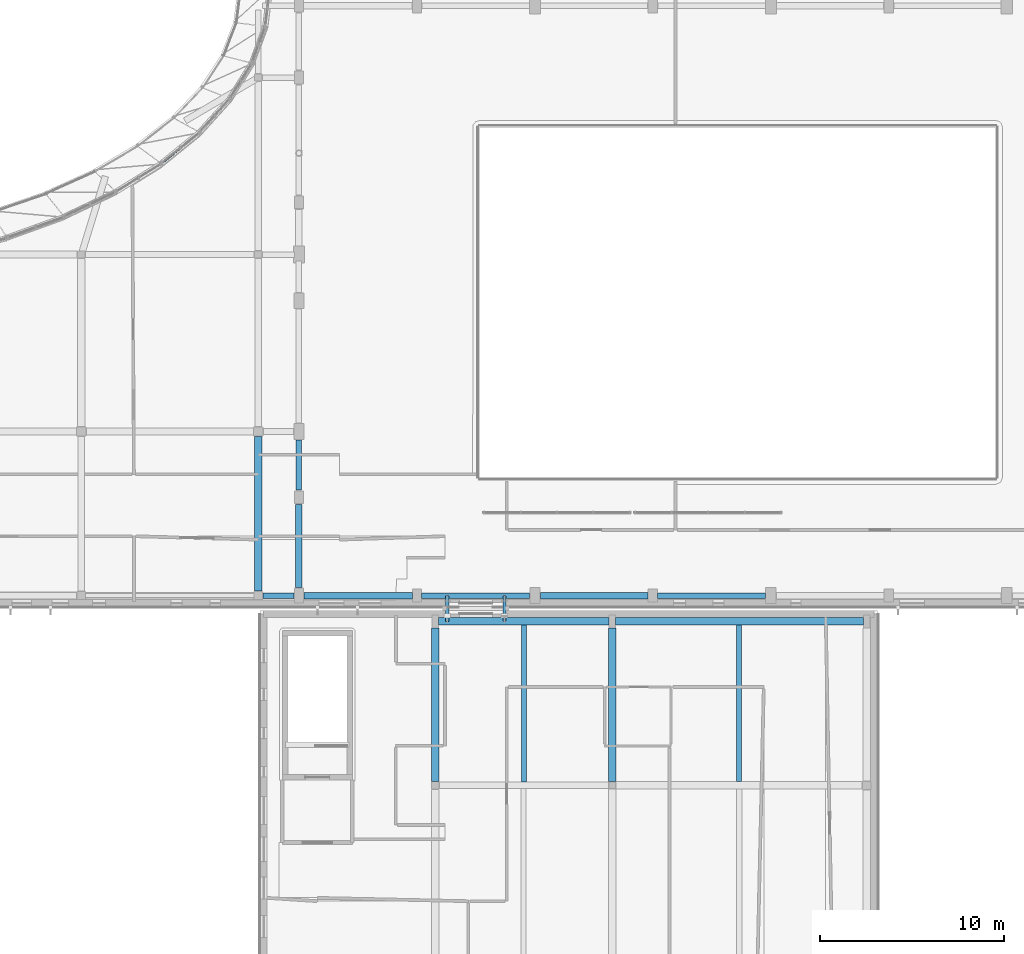
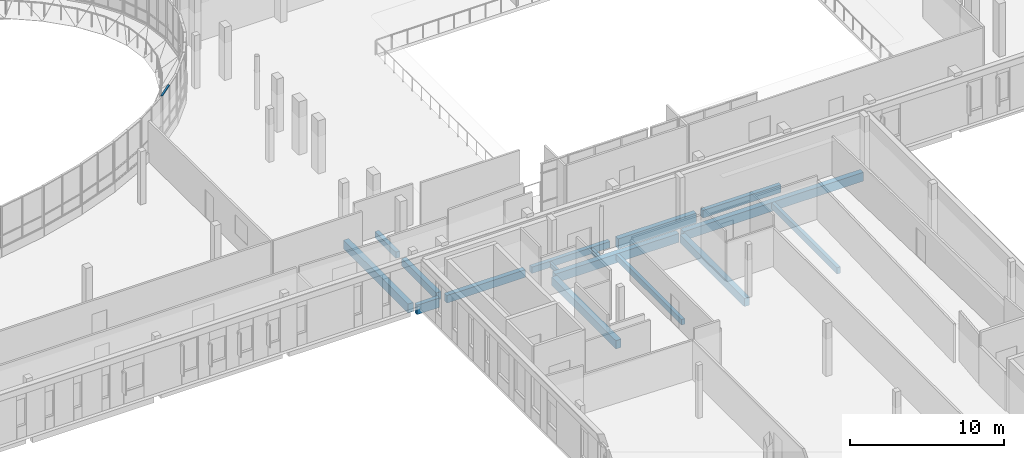
# One storey, part 16 of 84: 16 beams, 1 member, 1 element without a shape of its own.
"""IFC4 building model written with IfcOpenShell, lengths in metres."""

from ifc_helpers import new_model, si_unit, direction, frame, origin, origin_2d, place, context, subcontext, project, spatial, rectangle, i_section, extrude, material, material_profile, profile_set, type_object, element, aggregate, save


model = new_model("IFC4")

# Units and contexts
model_context = context("Model", 3, precision=1e-05, world=origin(), true_north=direction((0.0, 1.0)))
body_context = subcontext(model_context, "Body", "Model", "MODEL_VIEW")
ifc_project = project(units=[si_unit("LENGTHUNIT", "METRE"), si_unit("AREAUNIT", "SQUARE_METRE"), si_unit("VOLUMEUNIT", "CUBIC_METRE"), si_unit("PLANEANGLEUNIT", "RADIAN"), si_unit("MASSUNIT", "GRAM", prefix="KILO")], contexts=[model_context])

# Site, building, storey
site_placement = place(None, origin())
site = spatial("IfcSite", under=ifc_project, at=site_placement, CompositionType="ELEMENT")
building_placement = place(site_placement, origin())
building = spatial("IfcBuilding", under=site, at=building_placement, Name="Mzevani Central Library", CompositionType="ELEMENT")
storey_placement = place(building_placement, frame((0.0, 0.0, 5.39990234375)))
storey = spatial("IfcBuildingStorey", under=building, at=storey_placement, Name="L01", CompositionType="ELEMENT", Elevation=5.39990234375)

# Beams
ifc_material_1 = material(Name="Concrete C35/45", Category="concrete")
ifc_material_profile_1 = material_profile(ifc_material_1, rectangle(XDim=0.300048828125, YDim=0.5, at=origin_2d()), Name="RC B300x500")
ifc_profile_set_1 = profile_set([ifc_material_profile_1], Name="Concrete C35/45")
beam_type_1 = type_object("IfcBeamType", Name="Beam RC 300x500", PredefinedType="BEAM", material=ifc_profile_set_1)
beam_1_placement = place(storey_placement, frame((120.85009765625, 43.10009765625, -0.510009765625), z_axis=(1.0, 0.0, 0.0), x_axis=(0.0, 1.0, 0.0)))
element("IfcBeam", 1, at=beam_1_placement, inside=storey, type_object=beam_type_1, Name="L01 V1 Girder B-01 (8)", PredefinedType="BEAM", context=body_context, shape_type="SweptSolid", body=[
    extrude(rectangle(XDim=0.300048828125, YDim=0.5, at=origin_2d()), origin(), (0.0, 0.0, 1.0), 5.849853515625),
])
beam_2_placement = place(storey_placement, frame((114.199951171875, 48.8330078125, -0.510009765625), z_axis=(0.0, 1.0, 0.0), x_axis=(-1.0, 0.0, 0.0)))
element("IfcBeam", 2, at=beam_2_placement, inside=storey, type_object=beam_type_1, Name="L01 V1 Frame Beam B-01 (60)", PredefinedType="BEAM", context=body_context, shape_type="SweptSolid", body=[
    extrude(rectangle(XDim=0.300048828125, YDim=0.5, at=origin_2d()), origin(), (0.0, 0.0, 1.0), 2.717041015625),
])
ifc_material_profile_2 = material_profile(ifc_material_1, rectangle(XDim=0.300048828125, YDim=0.60009765625, at=origin_2d()), Name="RC B300x600")
ifc_profile_set_2 = profile_set([ifc_material_profile_2], Name="Concrete C35/45")
beam_type_2 = type_object("IfcBeamType", Name="Beam RC 300x600", PredefinedType="BEAM", material=ifc_profile_set_2)
beam_3_placement = place(storey_placement, frame((133.64990234375, 43.10009765625, -0.559814453125), z_axis=(1.0, 0.0, 0.0), x_axis=(0.0, 1.0, 0.0)))
element("IfcBeam", 3, at=beam_3_placement, inside=storey, type_object=beam_type_2, Name="L01 V1 Girder B-03 (10)", PredefinedType="BEAM", context=body_context, shape_type="SweptSolid", body=[
    extrude(rectangle(XDim=0.300048828125, YDim=0.60009765625, at=origin_2d()), origin(), (0.0, 0.0, 1.0), 5.85009765625),
])
ifc_material_profile_3 = material_profile(ifc_material_1, rectangle(XDim=0.35009765625, YDim=0.60009765625, at=origin_2d()), Name="RC B350x600")
ifc_profile_set_3 = profile_set([ifc_material_profile_3], Name="Concrete C35/45")
beam_type_3 = type_object("IfcBeamType", Name="Beam RC 350x600", PredefinedType="BEAM", material=ifc_profile_set_3)
beam_4_placement = place(storey_placement, frame((114.47509765625, 43.10009765625, -0.559814453125), z_axis=(1.0, 0.0, 0.0), x_axis=(0.0, 1.0, 0.0)))
element("IfcBeam", 4, at=beam_4_placement, inside=storey, type_object=beam_type_3, Name="L01 V1 Girder B-04 (7)", PredefinedType="BEAM", context=body_context, shape_type="SweptSolid", body=[
    extrude(rectangle(XDim=0.35009765625, YDim=0.60009765625, at=origin_2d()), origin(), (0.0, 0.0, 1.0), 5.875),
])
beam_5_placement = place(storey_placement, frame((114.199951171875, 43.52490234375, -0.559814453125), z_axis=(0.0, 1.0, 0.0), x_axis=(-1.0, 0.0, 0.0)))
element("IfcBeam", 5, at=beam_5_placement, inside=storey, type_object=beam_type_3, Name="L01 V1 Frame Beam B-04 (59)", PredefinedType="BEAM", context=body_context, shape_type="SweptSolid", body=[
    extrude(rectangle(XDim=0.35009765625, YDim=0.60009765625, at=origin_2d()), origin(), (0.0, 0.0, 1.0), 4.508056640625),
])
ifc_material_profile_4 = material_profile(ifc_material_1, rectangle(XDim=0.39990234375, YDim=0.64990234375, at=origin_2d()), Name="RC B400x650")
ifc_profile_set_4 = profile_set([ifc_material_profile_4], Name="Concrete C35/45")
beam_type_4 = type_object("IfcBeamType", Name="Beam RC 400x650", PredefinedType="BEAM", material=ifc_profile_set_4)
beam_6_placement = place(storey_placement, frame((121.60009765625, 33.02490234375, -0.5849609375), z_axis=(0.0, 1.0, 0.0), x_axis=(-1.0, 0.0, 0.0)))
element("IfcBeam", 6, at=beam_6_placement, inside=storey, type_object=beam_type_4, Name="L01 V6 Frame Beam B-07 (1058)", PredefinedType="BEAM", context=body_context, shape_type="SweptSolid", body=[
    extrude(rectangle(XDim=0.39990234375, YDim=0.64990234375, at=origin_2d()), origin(), (0.0, 0.0, 1.0), 8.3251953125),
])
beam_7_placement = place(storey_placement, frame((131.199951171875, 33.0, -0.5849609375), z_axis=(0.0, 1.0, 0.0), x_axis=(-1.0, 0.0, 0.0)))
element("IfcBeam", 7, at=beam_7_placement, inside=storey, type_object=beam_type_4, Name="L01 V6 Frame Beam B-07 (1062)", PredefinedType="BEAM", context=body_context, shape_type="SweptSolid", body=[
    extrude(rectangle(XDim=0.39990234375, YDim=0.64990234375, at=origin_2d()), origin(), (0.0, 0.0, 1.0), 8.35009765625),
])
ifc_material_profile_5 = material_profile(ifc_material_1, rectangle(XDim=0.39990234375, YDim=0.699951171875, at=origin_2d()), Name="RC B400x700")
ifc_profile_set_5 = profile_set([ifc_material_profile_5], Name="Concrete C35/45")
beam_type_5 = type_object("IfcBeamType", Name="Beam RC 400x700", PredefinedType="BEAM", material=ifc_profile_set_5)
beam_8_placement = place(storey_placement, frame((112.0, 43.35009765625, -0.60986328125), z_axis=(0.0, 1.0, 0.0), x_axis=(-1.0, 0.0, 0.0)))
element("IfcBeam", 8, at=beam_8_placement, inside=storey, type_object=beam_type_5, Name="L01 V1 Frame Beam B-08 (55)", PredefinedType="BEAM", context=body_context, shape_type="SweptSolid", body=[
    extrude(rectangle(XDim=0.39990234375, YDim=0.699951171875, at=origin_2d()), origin(), (0.0, 0.0, 1.0), 8.375),
])
beam_9_placement = place(storey_placement, frame((121.77490234375, 41.699951171875, -0.60986328125), z_axis=(1.0, 0.0, 0.0), x_axis=(0.0, 1.0, 0.0)))
element("IfcBeam", 9, at=beam_9_placement, inside=storey, type_object=beam_type_5, Name="L01 V6 Girder B-08 (1051)", PredefinedType="BEAM", context=body_context, shape_type="SweptSolid", body=[
    extrude(rectangle(XDim=0.39990234375, YDim=0.699951171875, at=origin_2d()), origin(), (0.0, 0.0, 1.0), 9.25),
])
beam_10_placement = place(storey_placement, frame((131.375, 41.699951171875, -0.60986328125), z_axis=(1.0, 0.0, 0.0), x_axis=(0.0, 1.0, 0.0)))
element("IfcBeam", 10, at=beam_10_placement, inside=storey, type_object=beam_type_5, Name="L01 V6 Girder B-08 (1052)", PredefinedType="BEAM", context=body_context, shape_type="SweptSolid", body=[
    extrude(rectangle(XDim=0.39990234375, YDim=0.699951171875, at=origin_2d()), origin(), (0.0, 0.0, 1.0), 13.449951171875),
])
ifc_material_2 = material(Name="Steel S355J2", Category="steel")
ifc_material_profile_6 = material_profile(ifc_material_2, i_section(OverallWidth=0.179931640625, OverallDepth=0.39990234375, WebThickness=0.008544921875, FlangeThickness=0.013427734375, FilletRadius=0.02099609375, at=origin_2d()), Name="IPE 400")
ifc_profile_set_6 = profile_set([ifc_material_profile_6], Name="Steel S355J2")
beam_type_6 = type_object("IfcBeamType", Name="Bridge Edge Beam IPE 400", PredefinedType="BEAM", material=ifc_profile_set_6)
for number, where, z_axis, x_axis, name in (
    (11, (122.25, 41.699951171875, -0.52490234375), (0.0, 1.0, 0.0), (-1.0, 0.0, 0.0), "L01 Children-Reading Hall Seismic Passage L01 Girder 1"),
    (12, (125.35009765625, 41.699951171875, -0.52490234375), (0.0, 1.0, 0.0), (-1.0, 0.0, 0.0), "L01 Children-Reading Hall Seismic Passage L01 Girder 2"),
):
    element("IfcBeam", number, at=place(storey_placement, frame(where, z_axis=z_axis, x_axis=x_axis)), inside=storey, type_object=beam_type_6, Name=name, PredefinedType="BEAM", context=body_context, shape_type="SweptSolid", body=[
        extrude(i_section(OverallWidth=0.179931640625, OverallDepth=0.39990234375, WebThickness=0.008544921875, FlangeThickness=0.013427734375, FilletRadius=0.02099609375, at=origin_2d()), origin(), (0.0, 0.0, 1.0), 1.400146484375),
    ])

# Curtain wall, member
ifc_material_3 = material(Name="Thermally broken aluminium and Low-E triple glazing", Category="aluminium")
curtain_wall_type = type_object("IfcCurtainWallType", Name="Elliptical Court Unitised Curtain Wall", PredefinedType="NOTDEFINED", material=ifc_material_3)
curtain_wall_placement = place(storey_placement, origin())
curtain_wall = element("IfcCurtainWall", 13, at=curtain_wall_placement, inside=storey, type_object=curtain_wall_type, Name="L01 Elliptical Court Curtain Wall 44", PredefinedType="NOTDEFINED")
ifc_material_4 = material(Name="Thermally broken aluminium AW-6060", Category="aluminium")
ifc_material_profile_7 = material_profile(ifc_material_4, rectangle(XDim=0.1298828125, YDim=0.06005859375, at=origin_2d()), Name="ALU T60x130")
ifc_profile_set_7 = profile_set([ifc_material_profile_7], Name="Thermally broken aluminium AW-6060")
member_type = type_object("IfcMemberType", Name="CW Transom 60x130", PredefinedType="USERDEFINED", material=ifc_profile_set_7)
member_placement = place(storey_placement, frame((106.738037109375, 66.54248046875, 3.920166015625), z_axis=(0.776243179452, 0.63043360186, 0.0), x_axis=(-0.63043360186, 0.776243179452, 0.0)))
member = element("IfcMember", 14, at=member_placement, type_object=member_type, Name="L01 Elliptical Court Curtain Wall 44 Transom 3", ObjectType="TRANSOM", PredefinedType="USERDEFINED", context=body_context, shape_type="SweptSolid", body=[
    extrude(rectangle(XDim=0.1298828125, YDim=0.06005859375, at=origin_2d()), origin(), (0.0, 0.0, 1.0), 1.329345703125),
])
aggregate(curtain_wall, [member])

# Beams
ifc_material_5 = material(Name="Precast concrete C40/50", Category="concrete")
ifc_material_profile_8 = material_profile(ifc_material_5, rectangle(XDim=0.35009765625, YDim=0.800048828125, at=origin_2d()), Name="RC SP350x800")
ifc_profile_set_8 = profile_set([ifc_material_profile_8], Name="Precast concrete C40/50")
beam_type_7 = type_object("IfcBeamType", Name="Colonnade Fascia Beam RC 350x800", PredefinedType="SPANDREL", material=ifc_profile_set_8)
beam_11_placement = place(storey_placement, frame((127.300048828125, 43.10009765625, -0.659912109375), z_axis=(1.0, 0.0, 0.0), x_axis=(0.0, 1.0, 0.0)))
element("IfcBeam", 15, at=beam_11_placement, inside=storey, type_object=beam_type_7, Name="L01 V1 Girder SP-02 (9)", PredefinedType="SPANDREL", context=body_context, shape_type="SweptSolid", body=[
    extrude(rectangle(XDim=0.35009765625, YDim=0.800048828125, at=origin_2d()), origin(), (0.0, 0.0, 1.0), 5.849853515625),
])
ifc_material_profile_9 = material_profile(ifc_material_5, rectangle(XDim=0.300048828125, YDim=0.75, at=origin_2d()), Name="RC SP300x750")
ifc_profile_set_9 = profile_set([ifc_material_profile_9], Name="Precast concrete C40/50")
beam_type_8 = type_object("IfcBeamType", Name="Edge Spandrel Beam RC 300x750", PredefinedType="SPANDREL", material=ifc_profile_set_9)
beam_12_placement = place(storey_placement, frame((112.25, 43.10009765625, -0.635009765625), z_axis=(1.0, 0.0, 0.0), x_axis=(0.0, 1.0, 0.0)))
element("IfcBeam", 16, at=beam_12_placement, inside=storey, type_object=beam_type_8, Name="L01 V1 Girder SP-01 (6)", PredefinedType="SPANDREL", context=body_context, shape_type="SweptSolid", body=[
    extrude(rectangle(XDim=0.300048828125, YDim=0.75, at=origin_2d()), origin(), (0.0, 0.0, 1.0), 1.675048828125),
])
ifc_material_profile_10 = material_profile(ifc_material_1, rectangle(XDim=0.25, YDim=0.449951171875, at=origin_2d()), Name="RC J250x450")
ifc_profile_set_10 = profile_set([ifc_material_profile_10], Name="Concrete C35/45")
beam_type_9 = type_object("IfcBeamType", Name="Floor Joist RC 250x450", PredefinedType="JOIST", material=ifc_profile_set_10)
beam_13_placement = place(storey_placement, frame((126.41259765625, 32.97509765625, -0.48486328125), z_axis=(0.0, 1.0, 0.0), x_axis=(-1.0, 0.0, 0.0)))
element("IfcBeam", 17, at=beam_13_placement, inside=storey, type_object=beam_type_9, Name="L01 V6 Floor Joist BJ-01 (1083)", PredefinedType="JOIST", context=body_context, shape_type="SweptSolid", body=[
    extrude(rectangle(XDim=0.25, YDim=0.449951171875, at=origin_2d()), origin(), (0.0, 0.0, 1.0), 8.52490234375),
])
ifc_material_profile_11 = material_profile(ifc_material_1, rectangle(XDim=0.25, YDim=0.5, at=origin_2d()), Name="RC J250x500")
ifc_profile_set_11 = profile_set([ifc_material_profile_11], Name="Concrete C35/45")
beam_type_10 = type_object("IfcBeamType", Name="Floor Joist RC 250x500", PredefinedType="JOIST", material=ifc_profile_set_11)
beam_14_placement = place(storey_placement, frame((138.074951171875, 33.0, -0.510009765625), z_axis=(0.0, 1.0, 0.0), x_axis=(-1.0, 0.0, 0.0)))
element("IfcBeam", 18, at=beam_14_placement, inside=storey, type_object=beam_type_10, Name="L01 V6 Floor Joist BJ-02 (1084)", PredefinedType="JOIST", context=body_context, shape_type="SweptSolid", body=[
    extrude(rectangle(XDim=0.25, YDim=0.5, at=origin_2d()), origin(), (0.0, 0.0, 1.0), 8.5),
])

save(model, "model.ifc")
